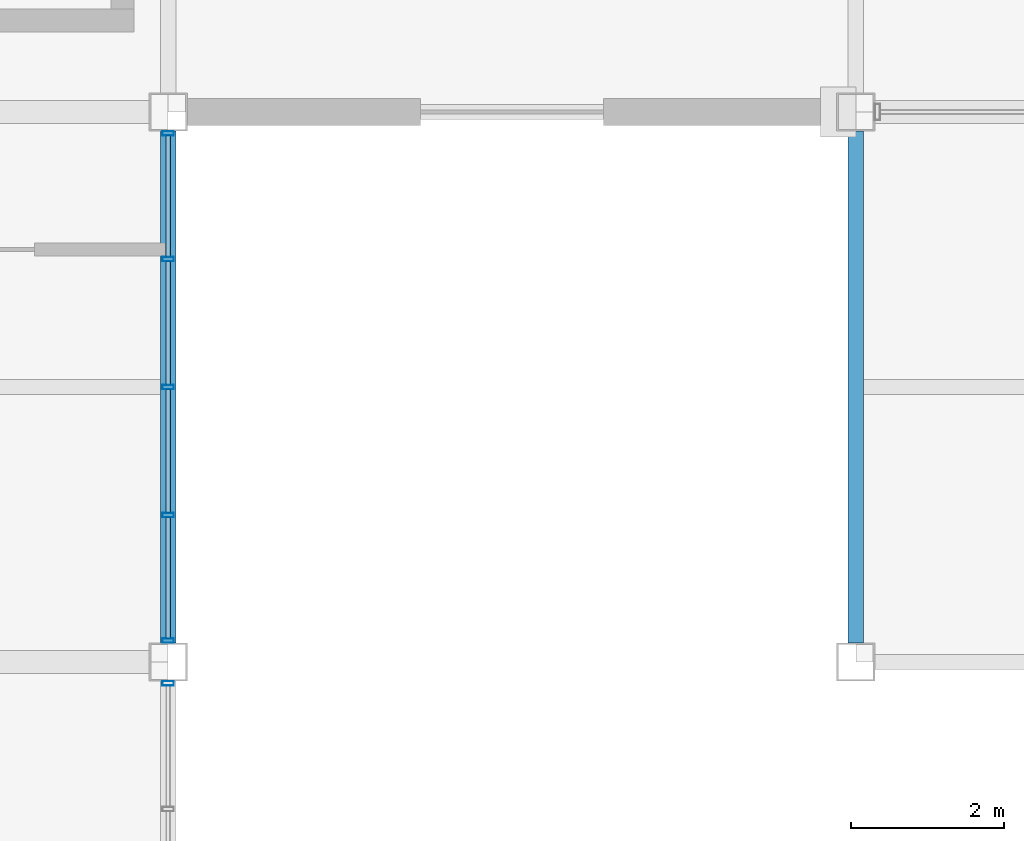
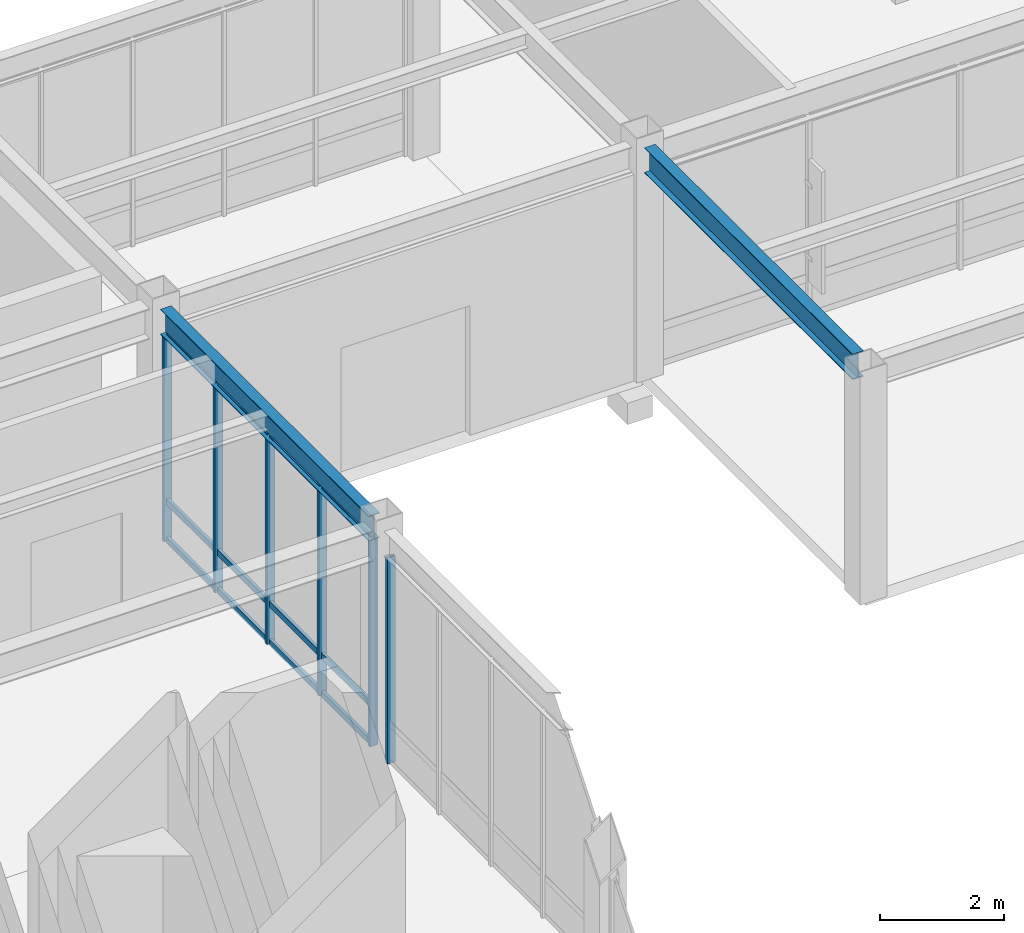
# One storey, part 19 of 112: 18 members, 2 beams, 2 elements without a shape of their own.
"""IFC4 building model written with IfcOpenShell, lengths in metres."""

from ifc_helpers import new_model, si_unit, direction, frame, origin, origin_2d, place, context, subcontext, project, spatial, hollow_rectangle, i_section, extrude, material, material_profile, profile_set, type_object, element, aggregate, save


model = new_model("IFC4")

# Units and contexts
model_context = context("Model", 3, precision=1e-05, world=origin(), true_north=direction((0.0, 1.0)))
body_context = subcontext(model_context, "Body", "Model", "MODEL_VIEW")
ifc_project = project(units=[si_unit("LENGTHUNIT", "METRE"), si_unit("AREAUNIT", "SQUARE_METRE"), si_unit("VOLUMEUNIT", "CUBIC_METRE"), si_unit("PLANEANGLEUNIT", "RADIAN"), si_unit("MASSUNIT", "GRAM", prefix="KILO")], contexts=[model_context])

# Site, building, storey
site_placement = place(None, origin())
site = spatial("IfcSite", under=ifc_project, at=site_placement, CompositionType="ELEMENT")
building_placement = place(site_placement, origin())
building = spatial("IfcBuilding", under=site, at=building_placement, Name="Kazanami Central Library", CompositionType="ELEMENT")
storey_placement = place(building_placement, origin())
storey = spatial("IfcBuildingStorey", under=building, at=storey_placement, Name="L01", CompositionType="ELEMENT", Elevation=0.0)

# Beams
ifc_material_1 = material(Name="Steel SN490B (325 MPa)", Category="steel")
ifc_material_profile_1 = material_profile(ifc_material_1, i_section(OverallWidth=0.199951171875, OverallDepth=0.5, WebThickness=0.010009765625, FlangeThickness=0.01611328125, at=origin_2d()), Name="H-500x200x10x16")
ifc_profile_set_1 = profile_set([ifc_material_profile_1], Name="Steel SN490B (325 MPa)")
beam_type = type_object("IfcBeamType", Name="BM-SP-1", PredefinedType="SPANDREL", material=ifc_profile_set_1)
for number, where, z_axis, x_axis, name in (
    (1, (36.0, 14.64794921875, 4.304931640625), (0.0, 1.0, 0.0), (-1.0, 0.0, 0.0), "Girder SP-1 L01 5/C-D"),
    (2, (45.0, 14.64794921875, 4.330078125), (0.0, 1.0, 0.0), (-1.0, 0.0, 0.0), "Girder SP-1 L01 6/C-D"),
):
    element("IfcBeam", number, at=place(storey_placement, frame(where, z_axis=z_axis, x_axis=x_axis)), inside=storey, type_object=beam_type, Name=name, PredefinedType="SPANDREL", context=body_context, shape_type="SweptSolid", body=[
        extrude(i_section(OverallWidth=0.199951171875, OverallDepth=0.5, WebThickness=0.010009765625, FlangeThickness=0.01611328125, at=origin_2d()), origin(), (0.0, 0.0, 1.0), 6.7041015625),
    ])

# Curtain wall, member
ifc_material_2 = material(Name="Acid-Etched Low-E Laminated Glass", Category="glass")
curtain_wall_type = type_object("IfcCurtainWallType", Name="CW-6700x4055-M180", PredefinedType="USERDEFINED", material=ifc_material_2)
curtain_wall_1_placement = place(storey_placement, origin())
curtain_wall_1 = element("IfcCurtainWall", 3, at=curtain_wall_1_placement, inside=storey, type_object=curtain_wall_type, Name="Covered Link Bridge Curtain Wall CW-09 L01 E-5-01", ObjectType="UNITISED CURTAIN WALL", PredefinedType="USERDEFINED")
ifc_material_3 = material(Name="Anodised Aluminium A6063-T5", Category="aluminium")
ifc_material_profile_2 = material_profile(ifc_material_3, hollow_rectangle(XDim=0.06005859375, YDim=0.14990234375, WallThickness=0.00390625, at=origin_2d()), Name="ALU-MULL-60x150x4")
ifc_profile_set_2 = profile_set([ifc_material_profile_2], Name="Anodised Aluminium A6063-T5")
member_type_1 = type_object("IfcMemberType", Name="MEM-CW-M3", PredefinedType="MULLION", material=ifc_profile_set_2)
member_1_placement = place(storey_placement, frame((36.0, 14.1201171875, 0.0), z_axis=(0.0, 0.0, 1.0), x_axis=(0.0, -1.0, 0.0)))
member_1 = element("IfcMember", 4, at=member_1_placement, type_object=member_type_1, Name="CW-09 mullion 1", PredefinedType="MULLION", context=body_context, shape_type="SweptSolid", body=[
    extrude(hollow_rectangle(XDim=0.06005859375, YDim=0.14990234375, WallThickness=0.00390625, at=origin_2d()), origin(), (0.0, 0.0, 1.0), 4.054931640625),
])
aggregate(curtain_wall_1, [member_1])

# Curtain wall, members
curtain_wall_2_placement = place(storey_placement, origin())
curtain_wall_2 = element("IfcCurtainWall", 5, at=curtain_wall_2_placement, inside=storey, type_object=curtain_wall_type, Name="Covered Link Bridge Curtain Wall CW-09 L01 E-5-02", ObjectType="UNITISED CURTAIN WALL", PredefinedType="USERDEFINED")
member_2_placement = place(storey_placement, frame((36.0, 21.320068359375, 0.0), z_axis=(0.0, 0.0, 1.0), x_axis=(0.0, -1.0, 0.0)))
member_2 = element("IfcMember", 6, at=member_2_placement, type_object=member_type_1, Name="CW-09 mullion 1", PredefinedType="MULLION", context=body_context, shape_type="SweptSolid", body=[
    extrude(hollow_rectangle(XDim=0.06005859375, YDim=0.14990234375, WallThickness=0.00390625, at=origin_2d()), origin(), (0.0, 0.0, 1.0), 4.054931640625),
])
member_3_placement = place(storey_placement, frame((36.0, 19.675048828125, 0.0), z_axis=(0.0, 0.0, 1.0), x_axis=(0.0, -1.0, 0.0)))
member_3 = element("IfcMember", 7, at=member_3_placement, type_object=member_type_1, Name="CW-09 mullion 2", PredefinedType="MULLION", context=body_context, shape_type="SweptSolid", body=[
    extrude(hollow_rectangle(XDim=0.06005859375, YDim=0.14990234375, WallThickness=0.00390625, at=origin_2d()), origin(), (0.0, 0.0, 1.0), 4.054931640625),
])
member_4_placement = place(storey_placement, frame((36.0, 18.0, 0.0), z_axis=(0.0, 0.0, 1.0), x_axis=(0.0, -1.0, 0.0)))
member_4 = element("IfcMember", 8, at=member_4_placement, type_object=member_type_1, Name="CW-09 mullion 3", PredefinedType="MULLION", context=body_context, shape_type="SweptSolid", body=[
    extrude(hollow_rectangle(XDim=0.06005859375, YDim=0.14990234375, WallThickness=0.00390625, at=origin_2d()), origin(), (0.0, 0.0, 1.0), 4.054931640625),
])
member_5_placement = place(storey_placement, frame((36.0, 16.324951171875, 0.0), z_axis=(0.0, 0.0, 1.0), x_axis=(0.0, -1.0, 0.0)))
member_5 = element("IfcMember", 9, at=member_5_placement, type_object=member_type_1, Name="CW-09 mullion 4", PredefinedType="MULLION", context=body_context, shape_type="SweptSolid", body=[
    extrude(hollow_rectangle(XDim=0.06005859375, YDim=0.14990234375, WallThickness=0.00390625, at=origin_2d()), origin(), (0.0, 0.0, 1.0), 4.054931640625),
])
member_6_placement = place(storey_placement, frame((36.0, 14.679931640625, 0.0), z_axis=(0.0, 0.0, 1.0), x_axis=(0.0, -1.0, 0.0)))
member_6 = element("IfcMember", 10, at=member_6_placement, type_object=member_type_1, Name="CW-09 mullion 5", PredefinedType="MULLION", context=body_context, shape_type="SweptSolid", body=[
    extrude(hollow_rectangle(XDim=0.06005859375, YDim=0.14990234375, WallThickness=0.00390625, at=origin_2d()), origin(), (0.0, 0.0, 1.0), 4.054931640625),
])
ifc_material_profile_3 = material_profile(ifc_material_3, hollow_rectangle(XDim=0.06005859375, YDim=0.1201171875, WallThickness=0.00341796875, at=origin_2d()), Name="ALU-TRAN-60x120x3.5")
ifc_profile_set_3 = profile_set([ifc_material_profile_3], Name="Anodised Aluminium A6063-T5")
member_type_2 = type_object("IfcMemberType", Name="MEM-CW-T3", PredefinedType="USERDEFINED", material=ifc_profile_set_3)
member_7_placement = place(storey_placement, frame((36.0, 21.2900390625, 0.030029296875), z_axis=(0.0, -1.0, 0.0), x_axis=(1.0, 0.0, 0.0)))
member_7 = element("IfcMember", 11, at=member_7_placement, type_object=member_type_2, Name="CW-09 transom 1.1", ObjectType="TRANSOM", PredefinedType="USERDEFINED", context=body_context, shape_type="SweptSolid", body=[
    extrude(hollow_rectangle(XDim=0.06005859375, YDim=0.1201171875, WallThickness=0.00341796875, at=origin_2d()), origin(), (0.0, 0.0, 1.0), 1.5849609375),
])
member_8_placement = place(storey_placement, frame((36.0, 21.2900390625, 0.780029296875), z_axis=(0.0, -1.0, 0.0), x_axis=(1.0, 0.0, 0.0)))
member_8 = element("IfcMember", 12, at=member_8_placement, type_object=member_type_2, Name="CW-09 transom 1.2", ObjectType="TRANSOM", PredefinedType="USERDEFINED", context=body_context, shape_type="SweptSolid", body=[
    extrude(hollow_rectangle(XDim=0.06005859375, YDim=0.1201171875, WallThickness=0.00341796875, at=origin_2d()), origin(), (0.0, 0.0, 1.0), 1.5849609375),
])
member_9_placement = place(storey_placement, frame((36.0, 21.2900390625, 4.02490234375), z_axis=(0.0, -1.0, 0.0), x_axis=(1.0, 0.0, 0.0)))
member_9 = element("IfcMember", 13, at=member_9_placement, type_object=member_type_2, Name="CW-09 transom 1.3", ObjectType="TRANSOM", PredefinedType="USERDEFINED", context=body_context, shape_type="SweptSolid", body=[
    extrude(hollow_rectangle(XDim=0.06005859375, YDim=0.1201171875, WallThickness=0.00341796875, at=origin_2d()), origin(), (0.0, 0.0, 1.0), 1.5849609375),
])
member_10_placement = place(storey_placement, frame((36.0, 19.64501953125, 0.030029296875), z_axis=(0.0, -1.0, 0.0), x_axis=(1.0, 0.0, 0.0)))
member_10 = element("IfcMember", 14, at=member_10_placement, type_object=member_type_2, Name="CW-09 transom 2.1", ObjectType="TRANSOM", PredefinedType="USERDEFINED", context=body_context, shape_type="SweptSolid", body=[
    extrude(hollow_rectangle(XDim=0.06005859375, YDim=0.1201171875, WallThickness=0.00341796875, at=origin_2d()), origin(), (0.0, 0.0, 1.0), 1.614990234375),
])
member_11_placement = place(storey_placement, frame((36.0, 19.64501953125, 0.780029296875), z_axis=(0.0, -1.0, 0.0), x_axis=(1.0, 0.0, 0.0)))
member_11 = element("IfcMember", 15, at=member_11_placement, type_object=member_type_2, Name="CW-09 transom 2.2", ObjectType="TRANSOM", PredefinedType="USERDEFINED", context=body_context, shape_type="SweptSolid", body=[
    extrude(hollow_rectangle(XDim=0.06005859375, YDim=0.1201171875, WallThickness=0.00341796875, at=origin_2d()), origin(), (0.0, 0.0, 1.0), 1.614990234375),
])
member_12_placement = place(storey_placement, frame((36.0, 19.64501953125, 4.02490234375), z_axis=(0.0, -1.0, 0.0), x_axis=(1.0, 0.0, 0.0)))
member_12 = element("IfcMember", 16, at=member_12_placement, type_object=member_type_2, Name="CW-09 transom 2.3", ObjectType="TRANSOM", PredefinedType="USERDEFINED", context=body_context, shape_type="SweptSolid", body=[
    extrude(hollow_rectangle(XDim=0.06005859375, YDim=0.1201171875, WallThickness=0.00341796875, at=origin_2d()), origin(), (0.0, 0.0, 1.0), 1.614990234375),
])
member_13_placement = place(storey_placement, frame((36.0, 17.969970703125, 0.030029296875), z_axis=(0.0, -1.0, 0.0), x_axis=(1.0, 0.0, 0.0)))
member_13 = element("IfcMember", 17, at=member_13_placement, type_object=member_type_2, Name="CW-09 transom 3.1", ObjectType="TRANSOM", PredefinedType="USERDEFINED", context=body_context, shape_type="SweptSolid", body=[
    extrude(hollow_rectangle(XDim=0.06005859375, YDim=0.1201171875, WallThickness=0.00341796875, at=origin_2d()), origin(), (0.0, 0.0, 1.0), 1.614990234375),
])
member_14_placement = place(storey_placement, frame((36.0, 17.969970703125, 0.780029296875), z_axis=(0.0, -1.0, 0.0), x_axis=(1.0, 0.0, 0.0)))
member_14 = element("IfcMember", 18, at=member_14_placement, type_object=member_type_2, Name="CW-09 transom 3.2", ObjectType="TRANSOM", PredefinedType="USERDEFINED", context=body_context, shape_type="SweptSolid", body=[
    extrude(hollow_rectangle(XDim=0.06005859375, YDim=0.1201171875, WallThickness=0.00341796875, at=origin_2d()), origin(), (0.0, 0.0, 1.0), 1.614990234375),
])
member_15_placement = place(storey_placement, frame((36.0, 17.969970703125, 4.02490234375), z_axis=(0.0, -1.0, 0.0), x_axis=(1.0, 0.0, 0.0)))
member_15 = element("IfcMember", 19, at=member_15_placement, type_object=member_type_2, Name="CW-09 transom 3.3", ObjectType="TRANSOM", PredefinedType="USERDEFINED", context=body_context, shape_type="SweptSolid", body=[
    extrude(hollow_rectangle(XDim=0.06005859375, YDim=0.1201171875, WallThickness=0.00341796875, at=origin_2d()), origin(), (0.0, 0.0, 1.0), 1.614990234375),
])
member_16_placement = place(storey_placement, frame((36.0, 16.294921875, 0.030029296875), z_axis=(0.0, -1.0, 0.0), x_axis=(1.0, 0.0, 0.0)))
member_16 = element("IfcMember", 20, at=member_16_placement, type_object=member_type_2, Name="CW-09 transom 4.1", ObjectType="TRANSOM", PredefinedType="USERDEFINED", context=body_context, shape_type="SweptSolid", body=[
    extrude(hollow_rectangle(XDim=0.06005859375, YDim=0.1201171875, WallThickness=0.00341796875, at=origin_2d()), origin(), (0.0, 0.0, 1.0), 1.5849609375),
])
member_17_placement = place(storey_placement, frame((36.0, 16.294921875, 0.780029296875), z_axis=(0.0, -1.0, 0.0), x_axis=(1.0, 0.0, 0.0)))
member_17 = element("IfcMember", 21, at=member_17_placement, type_object=member_type_2, Name="CW-09 transom 4.2", ObjectType="TRANSOM", PredefinedType="USERDEFINED", context=body_context, shape_type="SweptSolid", body=[
    extrude(hollow_rectangle(XDim=0.06005859375, YDim=0.1201171875, WallThickness=0.00341796875, at=origin_2d()), origin(), (0.0, 0.0, 1.0), 1.5849609375),
])
member_18_placement = place(storey_placement, frame((36.0, 16.294921875, 4.02490234375), z_axis=(0.0, -1.0, 0.0), x_axis=(1.0, 0.0, 0.0)))
member_18 = element("IfcMember", 22, at=member_18_placement, type_object=member_type_2, Name="CW-09 transom 4.3", ObjectType="TRANSOM", PredefinedType="USERDEFINED", context=body_context, shape_type="SweptSolid", body=[
    extrude(hollow_rectangle(XDim=0.06005859375, YDim=0.1201171875, WallThickness=0.00341796875, at=origin_2d()), origin(), (0.0, 0.0, 1.0), 1.5849609375),
])
aggregate(curtain_wall_2, [member_2, member_3, member_4, member_5, member_6, member_7, member_8, member_9, member_10, member_11, member_12, member_13, member_14, member_15, member_16, member_17, member_18])

save(model, "model.ifc")
